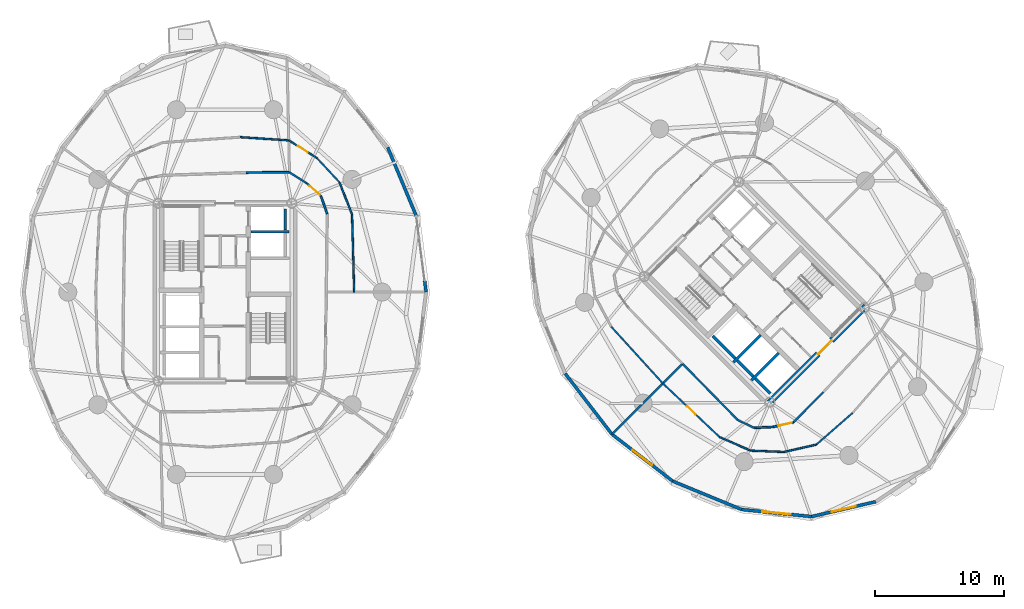
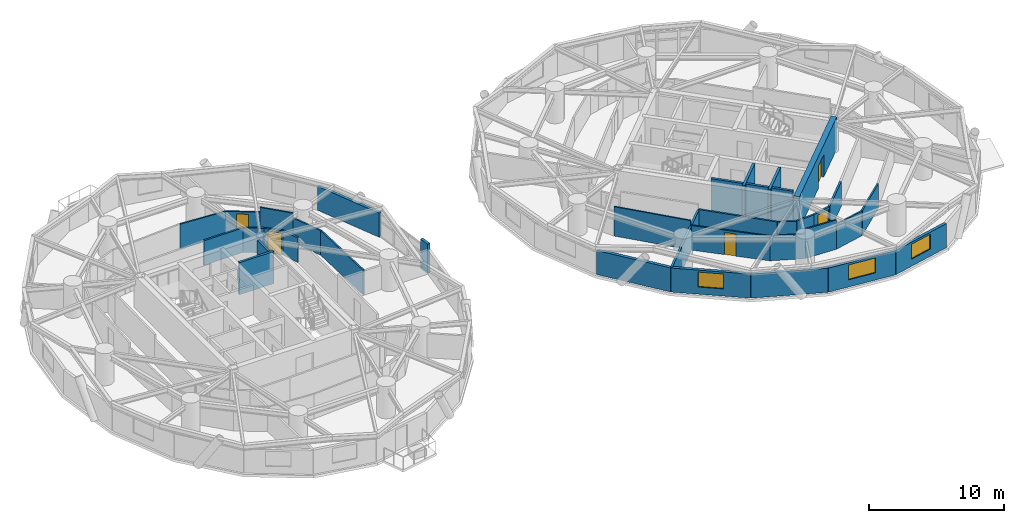
# One storey, part 11 of 18: 36 walls, 5 doors, 3 windows, 8 openings.
"""IFC4 building model written with IfcOpenShell, lengths in metres."""

from ifc_helpers import new_model, si_unit, direction, frame, frame_2d, origin, place, context, subcontext, project, spatial, rectangle, extrude, source, transform, mapped, material, layer, layer_set, type_object, element, fill, save


model = new_model("IFC4")

# Units and contexts
model_context = context("Model", 3, precision=1e-05, world=origin(), true_north=direction((0.0, 1.0)))
body_context = subcontext(model_context, "Body", "Model", "MODEL_VIEW")
ifc_project = project(units=[si_unit("LENGTHUNIT", "METRE"), si_unit("AREAUNIT", "SQUARE_METRE"), si_unit("VOLUMEUNIT", "CUBIC_METRE"), si_unit("PLANEANGLEUNIT", "RADIAN"), si_unit("MASSUNIT", "GRAM", prefix="KILO")], contexts=[model_context])

# Site, building, storey
site_placement = place(None, origin())
site = spatial("IfcSite", under=ifc_project, at=site_placement, CompositionType="ELEMENT")
building_placement = place(site_placement, origin())
building = spatial("IfcBuilding", under=site, at=building_placement, Name="Cununo Teusaquillo Station Towers", CompositionType="ELEMENT")
storey_placement = place(building_placement, frame((0.0, 0.0, 87.610107421875)))
storey = spatial("IfcBuildingStorey", under=building, at=storey_placement, Name="L27", CompositionType="ELEMENT", Elevation=87.610107421875)

# Walls
ifc_material_1 = material(Name="Concrete C50/60", Category="concrete")
ifc_layer_1 = layer(ifc_material_1, 0.199951171875)
ifc_layer_set_1 = layer_set([ifc_layer_1], Name="Concrete C50/60")
wall_type_1 = type_object("IfcWallType", Name="WL-CORE-200", PredefinedType="SHEAR", material=ifc_layer_set_1)
wall_1_placement = place(storey_placement, frame((18.510009765625, 29.175048828125, 0.0), z_axis=(0.0, 0.0, 1.0), x_axis=(1.0, 0.0, 0.0)))
element("IfcWall", 1, at=wall_1_placement, inside=storey, type_object=wall_type_1, Name="L27 Tower A Low-Rise Lift Hoistway Divider Shear Wall", PredefinedType="SHEAR", context=body_context, shape_type="SweptSolid", body=[
    extrude(rectangle(XDim=2.969970703125, YDim=0.199951171875, at=frame_2d((1.48486328125, 0.0))), origin(), (0.0, 0.0, 1.0), 2.909912109375),
])
wall_2_placement = place(storey_placement, frame((21.179931640625, 29.294921875, 0.0), z_axis=(0.0, 0.0, 1.0), x_axis=(0.0, 1.0, 0.0)))
element("IfcWall", 2, at=wall_2_placement, inside=storey, type_object=wall_type_1, Name="L27 Tower A Low-Rise Lift 2 Shaft Rear Shear Wall", PredefinedType="SHEAR", context=body_context, shape_type="SweptSolid", body=[
    extrude(rectangle(XDim=1.635009765625, YDim=0.199951171875, at=frame_2d((0.8173828125, 0.0))), origin(), (0.0, 0.0, 1.0), 2.909912109375),
])
wall_3_placement = place(storey_placement, frame((55.8876953125, 19.0693359375, 0.0), z_axis=(0.0, 0.0, 1.0), x_axis=(0.707106781187, 0.707106781187, 0.0)))
element("IfcWall", 3, at=wall_3_placement, inside=storey, type_object=wall_type_1, Name="L27 Tower B Firefighting Lift Shaft South Shear Wall", PredefinedType="SHEAR", context=body_context, shape_type="SweptSolid", body=[
    extrude(rectangle(XDim=2.969970703125, YDim=0.199951171875, at=frame_2d((1.48486328125, 0.0))), origin(), (0.0, 0.0, 1.0), 2.909912109375),
])
wall_4_placement = place(storey_placement, frame((56.01513671875, 19.366455078125, 0.0), z_axis=(0.0, 0.0, 1.0), x_axis=(-0.707106781187, 0.707106781187, 0.0)))
element("IfcWall", 4, at=wall_4_placement, inside=storey, type_object=wall_type_1, Name="L27 Tower B Firefighting Lift Shaft Rear Shear Wall", PredefinedType="SHEAR", context=body_context, shape_type="SweptSolid", body=[
    extrude(rectangle(XDim=2.43994140625, YDim=0.199951171875, at=frame_2d((1.219970703125, 0.0))), origin(), (0.0, 0.0, 1.0), 2.909912109375),
])
wall_5_placement = place(storey_placement, frame((57.2841796875, 17.6728515625, 0.0), z_axis=(0.0, 0.0, 1.0), x_axis=(0.707147878904, 0.70706568108, 0.0)))
element("IfcWall", 5, at=wall_5_placement, inside=storey, type_object=wall_type_1, Name="L27 Tower B High-Rise Lift Hoistway Divider Shear Wall", PredefinedType="SHEAR", context=body_context, shape_type="SweptSolid", body=[
    extrude(rectangle(XDim=2.97021484375, YDim=0.199951171875, at=frame_2d((1.485107421875, 0.0))), origin(), (0.0, 0.0, 1.0), 2.909912109375),
])
wall_6_placement = place(storey_placement, frame((57.41162109375, 17.969970703125, 0.0), z_axis=(0.0, 0.0, 1.0), x_axis=(-0.707106781187, 0.707106781187, 0.0)))
element("IfcWall", 6, at=wall_6_placement, inside=storey, type_object=wall_type_1, Name="L27 Tower B High-Rise Lift 2 Shaft Rear Shear Wall", PredefinedType="SHEAR", context=body_context, shape_type="SweptSolid", body=[
    extrude(rectangle(XDim=1.73486328125, YDim=0.199951171875, at=frame_2d((0.867431640625, 0.0))), origin(), (0.0, 0.0, 1.0), 2.909912109375),
])
wall_7_placement = place(storey_placement, frame((58.7373046875, 16.64404296875, 0.0), z_axis=(0.0, 0.0, 1.0), x_axis=(-0.707032117043, 0.707181437447, 0.0)))
element("IfcWall", 7, at=wall_7_placement, inside=storey, type_object=wall_type_1, Name="L27 Tower B High-Rise Lift 1 Shaft Rear Shear Wall", PredefinedType="SHEAR", context=body_context, shape_type="SweptSolid", body=[
    extrude(rectangle(XDim=1.635009765625, YDim=0.199951171875, at=frame_2d((0.8173828125, 0.0))), origin(), (0.0, 0.0, 1.0), 2.909912109375),
])

# Wall, opening, door
ifc_material_2 = material(Name="Concrete C60/75", Category="concrete")
ifc_layer_2 = layer(ifc_material_2, 0.449951171875)
ifc_layer_set_2 = layer_set([ifc_layer_2], Name="Concrete C60/75")
wall_type_2 = type_object("IfcWallType", Name="WL-CORE-450", PredefinedType="SHEAR", material=ifc_layer_set_2)
wall_8_placement = place(storey_placement, frame((58.578369140625, 15.855712890625, 0.0), z_axis=(0.0, 0.0, 1.0), x_axis=(0.707106781187, 0.707106781187, 0.0)))
wall_8 = element("IfcWall", 8, at=wall_8_placement, inside=storey, type_object=wall_type_2, Name="L27 Tower B Core Shear Wall S", PredefinedType="SHEAR", context=body_context, shape_type="SweptSolid", body=[
    extrude(rectangle(XDim=10.69970703125, YDim=0.449951171875, at=frame_2d((5.349853515625, 0.0))), origin(), (0.0, 0.0, 1.0), 2.909912109375),
])
shared_shape_1 = source(origin(), body_context, "Body", "SweptSolid", [
    extrude(rectangle(XDim=1.5, YDim=2.02001953125, at=frame_2d((0.75, 1.010009765625))), frame((0.0, 0.23486328125, 0.0), z_axis=(0.0, -1.0, 0.0), x_axis=(1.0, 0.0, 0.0)), (0.0, 0.0, 1.0), 0.469970703125),
])
opening_1_placement = place(wall_8_placement, frame((5.449951171875, 0.0, 0.0)))
opening_1 = element("IfcOpeningElement", 9, at=opening_1_placement, cuts=wall_8, Name="Opening D-LB1", PredefinedType="OPENING", context=body_context, shape_type="MappedRepresentation", body=[
    mapped(shared_shape_1, transform((0.0, 0.0, 0.0), x_axis=(1.0, 0.0, 0.0), y_axis=(0.0, 1.0, 0.0), z_axis=(0.0, 0.0, 1.0), scale=1.0)),
])
ifc_material_3 = material(Name="Galvanised fire-rated hollow steel door assembly", Category="steel")
door_type_1 = type_object("IfcDoorType", Name="DR-LOBBY-1500", OperationType="DOUBLE_DOOR_SINGLE_SWING", PredefinedType="DOOR", material=ifc_material_3)
shared_shape_2 = source(origin(), body_context, "Body", "SweptSolid", [
    extrude(rectangle(XDim=1.5, YDim=2.02001953125, at=frame_2d((0.75, 1.010009765625))), frame((0.0, 0.02490234375, 0.0), z_axis=(0.0, -1.0, 0.0), x_axis=(1.0, 0.0, 0.0)), (0.0, 0.0, 1.0), 0.050048828125),
])
door_1_placement = place(opening_1_placement, origin())
door_1 = element("IfcDoor", 10, at=door_1_placement, inside=storey, type_object=door_type_1, Name="L27 Tower B South Core Lift Lobby Door", OperationType="DOUBLE_DOOR_SINGLE_SWING", OverallHeight=2.02001953125, OverallWidth=1.5, PredefinedType="DOOR", context=body_context, shape_type="MappedRepresentation", body=[
    mapped(shared_shape_2, transform((0.0, 0.0, 0.0), x_axis=(1.0, 0.0, 0.0), y_axis=(0.0, 1.0, 0.0), z_axis=(0.0, 0.0, 1.0), scale=1.0)),
])
fill(opening_1, door_1)

# Walls
ifc_material_4 = material(Name="Precast concrete C40/50", Category="concrete")
ifc_layer_3 = layer(ifc_material_4, 0.239990234375)
ifc_layer_set_3 = layer_set([ifc_layer_3], Name="Precast concrete C40/50")
wall_type_3 = type_object("IfcWallType", Name="WL-EXT-240", PredefinedType="SOLIDWALL", material=ifc_layer_set_3)
wall_9_placement = place(storey_placement, frame((31.96923828125, 25.36279296875, 0.0), z_axis=(0.0, 0.0, 1.0), x_axis=(0.128523364007, -0.991706481225, 0.0)))
element("IfcWall", 11, at=wall_9_placement, inside=storey, type_object=wall_type_3, Name="L27 Tower A Column Pier Cladding Wall C00-PB", PredefinedType="SOLIDWALL", context=body_context, shape_type="SweptSolid", body=[
    extrude(rectangle(XDim=0.8701171875, YDim=0.239990234375, at=frame_2d((0.43505859375, 0.0))), origin(), (0.0, 0.0, 1.0), 2.65478515625),
])
wall_10_placement = place(storey_placement, frame((29.105224609375, 35.708984375, 0.0), z_axis=(0.0, 0.0, 1.0), x_axis=(0.384344417632, -0.923189779317, 0.0)))
element("IfcWall", 12, at=wall_10_placement, inside=storey, type_object=wall_type_3, Name="L27 Tower A Exterior Facade Wall C01", PredefinedType="SOLIDWALL", context=body_context, shape_type="SweptSolid", body=[
    extrude(rectangle(XDim=5.75830078125, YDim=0.239990234375, at=frame_2d((2.879150390625, 0.0))), origin(), (0.0, 0.0, 1.0), 2.178955078125),
])
wall_11_placement = place(storey_placement, frame((46.482666015625, 13.482666015625, 0.0), z_axis=(0.0, 0.0, 1.0), x_axis=(-0.61054437102, 0.791982052206, 0.0)))
element("IfcWall", 13, at=wall_11_placement, inside=storey, type_object=wall_type_3, Name="L27 Tower B Exterior Facade Wall C09", PredefinedType="SOLIDWALL", context=body_context, shape_type="SweptSolid", body=[
    extrude(rectangle(XDim=5.942138671875, YDim=0.239990234375, at=frame_2d((2.97119140625, 0.0))), origin(), (0.0, 0.0, 1.0), 2.178955078125),
])

# Wall, opening, window
wall_12_placement = place(storey_placement, frame((51.188720703125, 9.854736328125, 0.0), z_axis=(0.0, 0.0, 1.0), x_axis=(-0.791982052206, 0.61054437102, 0.0)))
wall_12 = element("IfcWall", 14, at=wall_12_placement, inside=storey, type_object=wall_type_3, Name="L27 Tower B Exterior Facade Wall C10", PredefinedType="SOLIDWALL", context=body_context, shape_type="SweptSolid", body=[
    extrude(rectangle(XDim=5.942138671875, YDim=0.239990234375, at=frame_2d((2.97119140625, 0.0))), origin(), (0.0, 0.0, 1.0), 2.178955078125),
])
shared_shape_3 = source(origin(), body_context, "Body", "SweptSolid", [
    extrude(rectangle(XDim=1.89990234375, YDim=1.35009765625, at=frame_2d((0.949951171875, 0.675048828125))), frame((0.0, 0.1298828125, 0.0), z_axis=(0.0, -1.0, 0.0), x_axis=(1.0, 0.0, 0.0)), (0.0, 0.0, 1.0), 0.260009765625),
])
opening_2_placement = place(wall_12_placement, frame((2.02099609375, 0.0, 0.64990234375)))
opening_2 = element("IfcOpeningElement", 15, at=opening_2_placement, cuts=wall_12, Name="Opening WN-02", PredefinedType="OPENING", context=body_context, shape_type="MappedRepresentation", body=[
    mapped(shared_shape_3, transform((0.0, 0.0, 0.0), x_axis=(1.0, 0.0, 0.0), y_axis=(0.0, 1.0, 0.0), z_axis=(0.0, 0.0, 1.0), scale=1.0)),
])
ifc_material_5 = material(Name="Operable acoustic tinted low-E double glazing", Category="glass")
window_type_1 = type_object("IfcWindowType", Name="WIN-OPER-1900", PartitioningType="DOUBLE_PANEL_VERTICAL", PredefinedType="WINDOW", material=ifc_material_5)
shared_shape_4 = source(origin(), body_context, "Body", "SweptSolid", [
    extrude(rectangle(XDim=1.89990234375, YDim=1.35009765625, at=frame_2d((0.949951171875, 0.675048828125))), frame((0.0, 0.030029296875, 0.0), z_axis=(0.0, -1.0, 0.0), x_axis=(1.0, 0.0, 0.0)), (0.0, 0.0, 1.0), 0.06005859375),
])
window_1_placement = place(opening_2_placement, origin())
window_1 = element("IfcWindow", 16, at=window_1_placement, inside=storey, type_object=window_type_1, Name="L27 Tower B Facade Window C10", OverallHeight=1.35009765625, OverallWidth=1.89990234375, PartitioningType="DOUBLE_PANEL_VERTICAL", PredefinedType="WINDOW", context=body_context, shape_type="MappedRepresentation", body=[
    mapped(shared_shape_4, transform((0.0, 0.0, 0.0), x_axis=(1.0, 0.0, 0.0), y_axis=(0.0, 1.0, 0.0), z_axis=(0.0, 0.0, 1.0), scale=1.0)),
])
fill(opening_2, window_1)

# Wall
wall_13_placement = place(storey_placement, frame((56.5126953125, 7.66064453125, 0.0), z_axis=(0.0, 0.0, 1.0), x_axis=(-0.924563909604, 0.381027003055, 0.0)))
element("IfcWall", 17, at=wall_13_placement, inside=storey, type_object=wall_type_3, Name="L27 Tower B Exterior Facade Wall C11", PredefinedType="SOLIDWALL", context=body_context, shape_type="SweptSolid", body=[
    extrude(rectangle(XDim=5.75830078125, YDim=0.239990234375, at=frame_2d((2.879150390625, 0.0))), origin(), (0.0, 0.0, 1.0), 2.178955078125),
])

# Wall, opening, window
wall_14_placement = place(storey_placement, frame((61.933349609375, 7.114990234375, 0.0), z_axis=(0.0, 0.0, 1.0), x_axis=(-0.994971754311, 0.10015591906, 0.0)))
wall_14 = element("IfcWall", 18, at=wall_14_placement, inside=storey, type_object=wall_type_3, Name="L27 Tower B Exterior Facade Wall C12", PredefinedType="SOLIDWALL", context=body_context, shape_type="SweptSolid", body=[
    extrude(rectangle(XDim=5.447998046875, YDim=0.239990234375, at=frame_2d((2.72412109375, 0.0))), origin(), (0.0, 0.0, 1.0), 2.178955078125),
])
shared_shape_5 = source(origin(), body_context, "Body", "SweptSolid", [
    extrude(rectangle(XDim=2.199951171875, YDim=1.35009765625, at=frame_2d((1.10009765625, 0.675048828125))), frame((0.0, 0.1298828125, 0.0), z_axis=(0.0, -1.0, 0.0), x_axis=(1.0, 0.0, 0.0)), (0.0, 0.0, 1.0), 0.260009765625),
])
opening_3_placement = place(wall_14_placement, frame((1.6240234375, 0.0, 0.64990234375)))
opening_3 = element("IfcOpeningElement", 19, at=opening_3_placement, cuts=wall_14, Name="Opening WN-01", PredefinedType="OPENING", context=body_context, shape_type="MappedRepresentation", body=[
    mapped(shared_shape_5, transform((0.0, 0.0, 0.0), x_axis=(1.0, 0.0, 0.0), y_axis=(0.0, 1.0, 0.0), z_axis=(0.0, 0.0, 1.0), scale=1.0)),
])
ifc_material_6 = material(Name="Ceramic-fritted dark low-E double glazing", Category="glass")
window_type_2 = type_object("IfcWindowType", Name="WIN-FRIT-2200", PartitioningType="DOUBLE_PANEL_VERTICAL", PredefinedType="WINDOW", material=ifc_material_6)
shared_shape_6 = source(origin(), body_context, "Body", "SweptSolid", [
    extrude(rectangle(XDim=2.199951171875, YDim=1.35009765625, at=frame_2d((1.10009765625, 0.675048828125))), frame((0.0, 0.030029296875, 0.0), z_axis=(0.0, -1.0, 0.0), x_axis=(1.0, 0.0, 0.0)), (0.0, 0.0, 1.0), 0.06005859375),
])
window_2_placement = place(opening_3_placement, origin())
window_2 = element("IfcWindow", 20, at=window_2_placement, inside=storey, type_object=window_type_2, Name="L27 Tower B Facade Window C12", OverallHeight=1.35009765625, OverallWidth=2.199951171875, PartitioningType="DOUBLE_PANEL_VERTICAL", PredefinedType="WINDOW", context=body_context, shape_type="MappedRepresentation", body=[
    mapped(shared_shape_6, transform((0.0, 0.0, 0.0), x_axis=(1.0, 0.0, 0.0), y_axis=(0.0, 1.0, 0.0), z_axis=(0.0, 0.0, 1.0), scale=1.0)),
])
fill(opening_3, window_2)

wall_15_placement = place(storey_placement, frame((66.919921875, 8.27099609375, 0.0), z_axis=(0.0, 0.0, 1.0), x_axis=(-0.974165631126, -0.225834725257, 0.0)))
wall_15 = element("IfcWall", 21, at=wall_15_placement, inside=storey, type_object=wall_type_3, Name="L27 Tower B Exterior Facade Wall C13", PredefinedType="SOLIDWALL", context=body_context, shape_type="SweptSolid", body=[
    extrude(rectangle(XDim=5.118896484375, YDim=0.239990234375, at=frame_2d((2.5595703125, 0.0))), origin(), (0.0, 0.0, 1.0), 2.178955078125),
])
opening_4_placement = place(wall_15_placement, frame((1.60888671875, 0.0, 0.64990234375)))
opening_4 = element("IfcOpeningElement", 22, at=opening_4_placement, cuts=wall_15, Name="Opening WN-02", PredefinedType="OPENING", context=body_context, shape_type="MappedRepresentation", body=[
    mapped(shared_shape_3, transform((0.0, 0.0, 0.0), x_axis=(1.0, 0.0, 0.0), y_axis=(0.0, 1.0, 0.0), z_axis=(0.0, 0.0, 1.0), scale=1.0)),
])
window_3_placement = place(opening_4_placement, origin())
window_3 = element("IfcWindow", 23, at=window_3_placement, inside=storey, type_object=window_type_1, Name="L27 Tower B Facade Window C13", OverallHeight=1.35009765625, OverallWidth=1.89990234375, PartitioningType="DOUBLE_PANEL_VERTICAL", PredefinedType="WINDOW", context=body_context, shape_type="MappedRepresentation", body=[
    mapped(shared_shape_4, transform((0.0, 0.0, 0.0), x_axis=(1.0, 0.0, 0.0), y_axis=(0.0, 1.0, 0.0), z_axis=(0.0, 0.0, 1.0), scale=1.0)),
])
fill(opening_4, window_3)

# Walls
ifc_material_7 = material(Name="Fire-rated gypsum plasterboard partition assembly", Category="gypsum")
ifc_layer_4 = layer(ifc_material_7, 0.125)
ifc_layer_set_4 = layer_set([ifc_layer_4], Name="Fire-rated gypsum plasterboard partition assembly")
wall_type_4 = type_object("IfcWallType", Name="WL-PART-125", PredefinedType="PARTITIONING", material=ifc_layer_set_4)
wall_16_placement = place(storey_placement, frame((26.509033203125, 24.5, 0.0), z_axis=(0.0, 0.0, 1.0), x_axis=(-0.027112670792, 0.99963238397, 0.0)))
element("IfcWall", 24, at=wall_16_placement, inside=storey, type_object=wall_type_4, Name="L27 Tower A Digital Engineering Open Workplace Concentric Partition Wall C00", PredefinedType="PARTITIONING", context=body_context, shape_type="SweptSolid", body=[
    extrude(rectangle(XDim=6.006103515625, YDim=0.125, at=frame_2d((3.0029296875, 0.0))), origin(), (0.0, 0.0, 1.0), 2.224853515625),
])
wall_17_placement = place(storey_placement, frame((26.34619140625, 30.50390625, 0.0), z_axis=(0.0, 0.0, 1.0), x_axis=(-0.362402208915, 0.932021801769, 0.0)))
element("IfcWall", 25, at=wall_17_placement, inside=storey, type_object=wall_type_4, Name="L27 Tower A Digital Engineering Open Workplace Concentric Partition Wall C01", PredefinedType="PARTITIONING", context=body_context, shape_type="SweptSolid", body=[
    extrude(rectangle(XDim=2.674560546875, YDim=0.125, at=frame_2d((1.33740234375, 0.0))), origin(), (0.0, 0.0, 1.0), 2.224853515625),
])
wall_18_placement = place(storey_placement, frame((25.376953125, 32.99658203125, 0.0), z_axis=(0.0, 0.0, 1.0), x_axis=(-0.680516524321, 0.732732734445, 0.0)))
element("IfcWall", 26, at=wall_18_placement, inside=storey, type_object=wall_type_4, Name="L27 Tower A Digital Engineering Open Workplace Concentric Partition Wall C02", PredefinedType="PARTITIONING", context=body_context, shape_type="SweptSolid", body=[
    extrude(rectangle(XDim=2.576171875, YDim=0.125, at=frame_2d((1.2880859375, 0.0))), origin(), (0.0, 0.0, 1.0), 2.65478515625),
])

# Wall, opening, door
wall_19_placement = place(storey_placement, frame((23.623779296875, 34.88427734375, 0.0), z_axis=(0.0, 0.0, 1.0), x_axis=(-0.84728326465, 0.531141289531, 0.0)))
wall_19 = element("IfcWall", 27, at=wall_19_placement, inside=storey, type_object=wall_type_4, Name="L27 Tower A Digital Engineering Open Workplace Concentric Partition Wall C03", PredefinedType="PARTITIONING", context=body_context, shape_type="SweptSolid", body=[
    extrude(rectangle(XDim=2.5732421875, YDim=0.125, at=frame_2d((1.28662109375, 0.0))), origin(), (0.0, 0.0, 1.0), 2.224853515625),
])
shared_shape_7 = source(origin(), body_context, "Body", "SweptSolid", [
    extrude(rectangle(XDim=0.89990234375, YDim=2.0048828125, at=frame_2d((0.449951171875, 1.00244140625))), frame((0.0, 0.072509765625, 0.0), z_axis=(0.0, -1.0, 0.0), x_axis=(1.0, 0.0, 0.0)), (0.0, 0.0, 1.0), 0.14501953125),
])
opening_5_placement = place(wall_19_placement, frame((0.83642578125, 0.0, 0.0)))
opening_5 = element("IfcOpeningElement", 28, at=opening_5_placement, cuts=wall_19, Name="Opening D-IN1", PredefinedType="OPENING", context=body_context, shape_type="MappedRepresentation", body=[
    mapped(shared_shape_7, transform((0.0, 0.0, 0.0), x_axis=(1.0, 0.0, 0.0), y_axis=(0.0, 1.0, 0.0), z_axis=(0.0, 0.0, 1.0), scale=1.0)),
])
ifc_material_8 = material(Name="Acoustic solid-core hardwood leaf assembly", Category="wood")
door_type_2 = type_object("IfcDoorType", Name="DR-INT-900", OperationType="NOTDEFINED", PredefinedType="DOOR", material=ifc_material_8)
shared_shape_8 = source(origin(), body_context, "Body", "SweptSolid", [
    extrude(rectangle(XDim=0.89990234375, YDim=2.0048828125, at=frame_2d((0.449951171875, 1.00244140625))), frame((0.0, 0.02490234375, 0.0), z_axis=(0.0, -1.0, 0.0), x_axis=(1.0, 0.0, 0.0)), (0.0, 0.0, 1.0), 0.050048828125),
])
door_2_placement = place(opening_5_placement, origin())
door_2 = element("IfcDoor", 29, at=door_2_placement, inside=storey, type_object=door_type_2, Name="L27 Tower A Digital Engineering Open Workplace Connecting Door", OperationType="SINGLE_SWING_LEFT", OverallHeight=2.0048828125, OverallWidth=0.89990234375, PredefinedType="DOOR", context=body_context, shape_type="MappedRepresentation", body=[
    mapped(shared_shape_8, transform((0.0, 0.0, 0.0), x_axis=(1.0, 0.0, 0.0), y_axis=(0.0, 1.0, 0.0), z_axis=(0.0, 0.0, 1.0), scale=1.0)),
])
fill(opening_5, door_2)

# Walls
wall_20_placement = place(storey_placement, frame((21.443603515625, 36.2509765625, 0.0), z_axis=(0.0, 0.0, 1.0), x_axis=(-0.997810544349, 0.066137112017, 0.0)))
element("IfcWall", 30, at=wall_20_placement, inside=storey, type_object=wall_type_4, Name="L27 Tower A Parametric Prototyping Lab Concentric Partition Wall C04", PredefinedType="PARTITIONING", context=body_context, shape_type="SweptSolid", body=[
    extrude(rectangle(XDim=3.7763671875, YDim=0.125, at=frame_2d((1.88818359375, 0.0))), origin(), (0.0, 0.0, 1.0), 2.224853515625),
])
wall_21_placement = place(storey_placement, frame((46.410400390625, 21.82958984375, 0.0), z_axis=(0.0, 0.0, 1.0), x_axis=(0.6732109009, -0.739450527696, 0.0)))
element("IfcWall", 31, at=wall_21_placement, inside=storey, type_object=wall_type_4, Name="L27 Tower B Client Demo Briefing Gallery Concentric Partition Wall C09", PredefinedType="PARTITIONING", context=body_context, shape_type="SweptSolid", body=[
    extrude(rectangle(XDim=5.959716796875, YDim=0.125, at=frame_2d((2.97998046875, 0.0))), origin(), (0.0, 0.0, 1.0), 2.65478515625),
])

# Wall, opening, door
wall_22_placement = place(storey_placement, frame((50.422607421875, 17.422607421875, 0.0), z_axis=(0.0, 0.0, 1.0), x_axis=(0.726497320663, -0.68716929724, 0.0)))
wall_22 = element("IfcWall", 32, at=wall_22_placement, inside=storey, type_object=wall_type_4, Name="L27 Tower B Staff Espresso & Pantry Lounge Concentric Partition Wall C10", PredefinedType="PARTITIONING", context=body_context, shape_type="SweptSolid", body=[
    extrude(rectangle(XDim=6.040283203125, YDim=0.125, at=frame_2d((3.02001953125, 0.0))), origin(), (0.0, 0.0, 1.0), 2.224853515625),
])
opening_6_placement = place(wall_22_placement, frame((2.570068359375, 0.0, 0.0)))
opening_6 = element("IfcOpeningElement", 33, at=opening_6_placement, cuts=wall_22, Name="Opening D-IN1", PredefinedType="OPENING", context=body_context, shape_type="MappedRepresentation", body=[
    mapped(shared_shape_7, transform((0.0, 0.0, 0.0), x_axis=(1.0, 0.0, 0.0), y_axis=(0.0, 1.0, 0.0), z_axis=(0.0, 0.0, 1.0), scale=1.0)),
])
door_3_placement = place(opening_6_placement, origin())
door_3 = element("IfcDoor", 34, at=door_3_placement, inside=storey, type_object=door_type_2, Name="L27 Tower B Staff Espresso & Pantry Lounge Connecting Door", OperationType="SINGLE_SWING_LEFT", OverallHeight=2.0048828125, OverallWidth=0.89990234375, PredefinedType="DOOR", context=body_context, shape_type="MappedRepresentation", body=[
    mapped(shared_shape_8, transform((0.0, 0.0, 0.0), x_axis=(1.0, 0.0, 0.0), y_axis=(0.0, 1.0, 0.0), z_axis=(0.0, 0.0, 1.0), scale=1.0)),
])
fill(opening_6, door_3)

# Walls
wall_23_placement = place(storey_placement, frame((54.810791015625, 13.27197265625, 0.0), z_axis=(0.0, 0.0, 1.0), x_axis=(0.91625765715, -0.400589447831, 0.0)))
element("IfcWall", 35, at=wall_23_placement, inside=storey, type_object=wall_type_4, Name="L27 Tower B Staff Espresso & Pantry Lounge Concentric Partition Wall C11", PredefinedType="PARTITIONING", context=body_context, shape_type="SweptSolid", body=[
    extrude(rectangle(XDim=2.624267578125, YDim=0.125, at=frame_2d((1.31201171875, 0.0))), origin(), (0.0, 0.0, 1.0), 2.224853515625),
])
wall_24_placement = place(storey_placement, frame((57.21533203125, 12.220703125, 0.0), z_axis=(0.0, 0.0, 1.0), x_axis=(0.999225050732, -0.039361122818, 0.0)))
element("IfcWall", 36, at=wall_24_placement, inside=storey, type_object=wall_type_4, Name="L27 Tower B Staff Espresso & Pantry Lounge Concentric Partition Wall C12", PredefinedType="PARTITIONING", context=body_context, shape_type="SweptSolid", body=[
    extrude(rectangle(XDim=2.58642578125, YDim=0.125, at=frame_2d((1.293212890625, 0.0))), origin(), (0.0, 0.0, 1.0), 2.65478515625),
])
wall_25_placement = place(storey_placement, frame((59.7998046875, 12.118896484375, 0.0), z_axis=(0.0, 0.0, 1.0), x_axis=(0.975045061532, 0.222007044895, 0.0)))
element("IfcWall", 37, at=wall_25_placement, inside=storey, type_object=wall_type_4, Name="L27 Tower B Staff Espresso & Pantry Lounge Concentric Partition Wall C13", PredefinedType="PARTITIONING", context=body_context, shape_type="SweptSolid", body=[
    extrude(rectangle(XDim=2.570068359375, YDim=0.125, at=frame_2d((1.28515625, 0.0))), origin(), (0.0, 0.0, 1.0), 2.224853515625),
])
wall_26_placement = place(storey_placement, frame((62.3056640625, 12.689453125, 0.0), z_axis=(0.0, 0.0, 1.0), x_axis=(0.753127589311, 0.657874482115, 0.0)))
element("IfcWall", 38, at=wall_26_placement, inside=storey, type_object=wall_type_4, Name="L27 Tower B Staff Espresso & Pantry Lounge Concentric Partition Wall C14", PredefinedType="PARTITIONING", context=body_context, shape_type="SweptSolid", body=[
    extrude(rectangle(XDim=3.73193359375, YDim=0.125, at=frame_2d((1.865966796875, 0.0))), origin(), (0.0, 0.0, 1.0), 2.224853515625),
])
ifc_material_9 = material(Name="Fire-rated gypsum plasterboard partition assembly", Category="gypsum")
ifc_layer_5 = layer(ifc_material_9, 0.14990234375)
ifc_layer_set_5 = layer_set([ifc_layer_5], Name="Fire-rated gypsum plasterboard partition assembly")
wall_type_5 = type_object("IfcWallType", Name="WL-PART-150", PredefinedType="PARTITIONING", material=ifc_layer_set_5)
wall_27_placement = place(storey_placement, frame((24.420166015625, 30.54931640625, 0.0), z_axis=(0.0, 0.0, 1.0), x_axis=(-0.329071042252, 0.944305167386, 0.0)))
element("IfcWall", 39, at=wall_27_placement, inside=storey, type_object=wall_type_5, Name="L27 Tower A Corridor Ring Wall C01", PredefinedType="PARTITIONING", context=body_context, shape_type="SweptSolid", body=[
    extrude(rectangle(XDim=1.479248046875, YDim=0.14990234375, at=frame_2d((0.73974609375, 0.0))), origin(), (0.0, 0.0, 1.0), 2.224853515625),
])

# Wall, opening, door
wall_28_placement = place(storey_placement, frame((23.933349609375, 31.9462890625, 0.0), z_axis=(0.0, 0.0, 1.0), x_axis=(-0.744529651383, 0.667589393423, 0.0)))
wall_28 = element("IfcWall", 40, at=wall_28_placement, inside=storey, type_object=wall_type_5, Name="L27 Tower A Corridor Ring Wall C02", PredefinedType="PARTITIONING", context=body_context, shape_type="SweptSolid", body=[
    extrude(rectangle(XDim=1.472412109375, YDim=0.14990234375, at=frame_2d((0.736328125, 0.0))), origin(), (0.0, 0.0, 1.0), 2.224853515625),
])
shared_shape_9 = source(origin(), body_context, "Body", "SweptSolid", [
    extrude(rectangle(XDim=1.050048828125, YDim=2.014892578125, at=frame_2d((0.52490234375, 1.00732421875))), frame((0.0, 0.0849609375, 0.0), z_axis=(0.0, -1.0, 0.0), x_axis=(1.0, 0.0, 0.0)), (0.0, 0.0, 1.0), 0.169921875),
])
opening_7_placement = place(wall_28_placement, frame((0.1201171875, 0.0, 0.0)))
opening_7 = element("IfcOpeningElement", 41, at=opening_7_placement, cuts=wall_28, Name="Opening D-SU1", PredefinedType="OPENING", context=body_context, shape_type="MappedRepresentation", body=[
    mapped(shared_shape_9, transform((0.0, 0.0, 0.0), x_axis=(1.0, 0.0, 0.0), y_axis=(0.0, 1.0, 0.0), z_axis=(0.0, 0.0, 1.0), scale=1.0)),
])
ifc_material_10 = material(Name="Acoustic solid-core hardwood leaf assembly", Category="wood")
door_type_3 = type_object("IfcDoorType", Name="DR-SUITE-1050", OperationType="NOTDEFINED", PredefinedType="DOOR", material=ifc_material_10)
shared_shape_10 = source(origin(), body_context, "Body", "SweptSolid", [
    extrude(rectangle(XDim=1.050048828125, YDim=2.014892578125, at=frame_2d((0.52490234375, 1.00732421875))), frame((0.0, 0.02490234375, 0.0), z_axis=(0.0, -1.0, 0.0), x_axis=(1.0, 0.0, 0.0)), (0.0, 0.0, 1.0), 0.050048828125),
])
door_4_placement = place(opening_7_placement, origin())
door_4 = element("IfcDoor", 42, at=door_4_placement, inside=storey, type_object=door_type_3, Name="L27 Tower A Digital Engineering Open Workplace Entrance Door", OperationType="SINGLE_SWING_RIGHT", OverallHeight=2.014892578125, OverallWidth=1.050048828125, PredefinedType="DOOR", context=body_context, shape_type="MappedRepresentation", body=[
    mapped(shared_shape_10, transform((0.0, 0.0, 0.0), x_axis=(1.0, 0.0, 0.0), y_axis=(0.0, 1.0, 0.0), z_axis=(0.0, 0.0, 1.0), scale=1.0)),
])
fill(opening_7, door_4)

# Walls
wall_29_placement = place(storey_placement, frame((22.837158203125, 32.92919921875, 0.0), z_axis=(0.0, 0.0, 1.0), x_axis=(-0.84581079329, 0.533482991252, 0.0)))
element("IfcWall", 43, at=wall_29_placement, inside=storey, type_object=wall_type_5, Name="L27 Tower A Corridor Ring Wall C03", PredefinedType="PARTITIONING", context=body_context, shape_type="SweptSolid", body=[
    extrude(rectangle(XDim=1.585205078125, YDim=0.14990234375, at=frame_2d((0.79248046875, 0.0))), origin(), (0.0, 0.0, 1.0), 2.224853515625),
])
wall_30_placement = place(storey_placement, frame((21.496337890625, 33.77490234375, 0.0), z_axis=(0.0, 0.0, 1.0), x_axis=(-0.999989544737, -0.004572790979, 0.0)))
element("IfcWall", 44, at=wall_30_placement, inside=storey, type_object=wall_type_5, Name="L27 Tower A Corridor Ring Wall C04", PredefinedType="PARTITIONING", context=body_context, shape_type="SweptSolid", body=[
    extrude(rectangle(XDim=3.363525390625, YDim=0.14990234375, at=frame_2d((1.681640625, 0.0))), origin(), (0.0, 0.0, 1.0), 2.224853515625),
])
wall_31_placement = place(storey_placement, frame((51.94921875, 18.94921875, 0.0), z_axis=(0.0, 0.0, 1.0), x_axis=(0.699801520154, -0.714337337951, 0.0)))
element("IfcWall", 45, at=wall_31_placement, inside=storey, type_object=wall_type_5, Name="L27 Tower B Corridor Ring Wall C10", PredefinedType="PARTITIONING", context=body_context, shape_type="SweptSolid", body=[
    extrude(rectangle(XDim=6.096923828125, YDim=0.14990234375, at=frame_2d((3.04833984375, 0.0))), origin(), (0.0, 0.0, 1.0), 2.224853515625),
])
wall_32_placement = place(storey_placement, frame((56.2158203125, 14.593994140625, 0.0), z_axis=(0.0, 0.0, 1.0), x_axis=(0.902219207281, -0.431277755064, 0.0)))
element("IfcWall", 46, at=wall_32_placement, inside=storey, type_object=wall_type_5, Name="L27 Tower B Corridor Ring Wall C11", PredefinedType="PARTITIONING", context=body_context, shape_type="SweptSolid", body=[
    extrude(rectangle(XDim=1.40966796875, YDim=0.14990234375, at=frame_2d((0.704833984375, 0.0))), origin(), (0.0, 0.0, 1.0), 2.224853515625),
])
wall_33_placement = place(storey_placement, frame((57.487548828125, 13.986083984375, 0.0), z_axis=(0.0, 0.0, 1.0), x_axis=(0.998863298217, 0.047666670476, 0.0)))
element("IfcWall", 47, at=wall_33_placement, inside=storey, type_object=wall_type_5, Name="L27 Tower B Corridor Ring Wall C12", PredefinedType="PARTITIONING", context=body_context, shape_type="SweptSolid", body=[
    extrude(rectangle(XDim=1.4853515625, YDim=0.14990234375, at=frame_2d((0.74267578125, 0.0))), origin(), (0.0, 0.0, 1.0), 2.224853515625),
])

# Wall, opening, door
wall_34_placement = place(storey_placement, frame((58.97119140625, 14.056884765625, 0.0), z_axis=(0.0, 0.0, 1.0), x_axis=(0.976085233804, 0.217388169756, 0.0)))
wall_34 = element("IfcWall", 48, at=wall_34_placement, inside=storey, type_object=wall_type_5, Name="L27 Tower B Corridor Ring Wall C13", PredefinedType="PARTITIONING", context=body_context, shape_type="SweptSolid", body=[
    extrude(rectangle(XDim=1.581298828125, YDim=0.14990234375, at=frame_2d((0.79052734375, 0.0))), origin(), (0.0, 0.0, 1.0), 2.224853515625),
])
opening_8_placement = place(wall_34_placement, frame((0.4111328125, 0.0, 0.0)))
opening_8 = element("IfcOpeningElement", 49, at=opening_8_placement, cuts=wall_34, Name="Opening D-SU1", PredefinedType="OPENING", context=body_context, shape_type="MappedRepresentation", body=[
    mapped(shared_shape_9, transform((0.0, 0.0, 0.0), x_axis=(1.0, 0.0, 0.0), y_axis=(0.0, 1.0, 0.0), z_axis=(0.0, 0.0, 1.0), scale=1.0)),
])
door_5_placement = place(opening_8_placement, origin())
door_5 = element("IfcDoor", 50, at=door_5_placement, inside=storey, type_object=door_type_3, Name="L27 Tower B Staff Espresso & Pantry Lounge Entrance Door", OperationType="SINGLE_SWING_RIGHT", OverallHeight=2.014892578125, OverallWidth=1.050048828125, PredefinedType="DOOR", context=body_context, shape_type="MappedRepresentation", body=[
    mapped(shared_shape_10, transform((0.0, 0.0, 0.0), x_axis=(1.0, 0.0, 0.0), y_axis=(0.0, 1.0, 0.0), z_axis=(0.0, 0.0, 1.0), scale=1.0)),
])
fill(opening_8, door_5)

# Walls
wall_35_placement = place(storey_placement, frame((60.5146484375, 14.400634765625, 0.0), z_axis=(0.0, 0.0, 1.0), x_axis=(0.704179607439, 0.710021887316, 0.0)))
element("IfcWall", 51, at=wall_35_placement, inside=storey, type_object=wall_type_5, Name="L27 Tower B Corridor Ring Wall C14", PredefinedType="PARTITIONING", context=body_context, shape_type="SweptSolid", body=[
    extrude(rectangle(XDim=3.30126953125, YDim=0.14990234375, at=frame_2d((1.650634765625, 0.0))), origin(), (0.0, 0.0, 1.0), 2.224853515625),
])
ifc_material_11 = material(Name="Fire-rated gypsum plasterboard partition assembly", Category="gypsum")
ifc_layer_6 = layer(ifc_material_11, 0.159912109375)
ifc_layer_set_6 = layer_set([ifc_layer_6], Name="Fire-rated gypsum plasterboard partition assembly")
wall_type_6 = type_object("IfcWallType", Name="WL-PART-160", PredefinedType="PARTITIONING", material=ifc_layer_set_6)
wall_36_placement = place(storey_placement, frame((51.94921875, 18.94921875, 0.0), z_axis=(0.0, 0.0, 1.0), x_axis=(-0.707106781187, -0.707106781187, 0.0)))
element("IfcWall", 52, at=wall_36_placement, inside=storey, type_object=wall_type_6, Name="L27 Tower B Radial Suite Partition R04", PredefinedType="PARTITIONING", context=body_context, shape_type="SweptSolid", body=[
    extrude(rectangle(XDim=7.711181640625, YDim=0.159912109375, at=frame_2d((3.85546875, 0.0))), origin(), (0.0, 0.0, 1.0), 2.178955078125),
])

save(model, "model.ifc")
